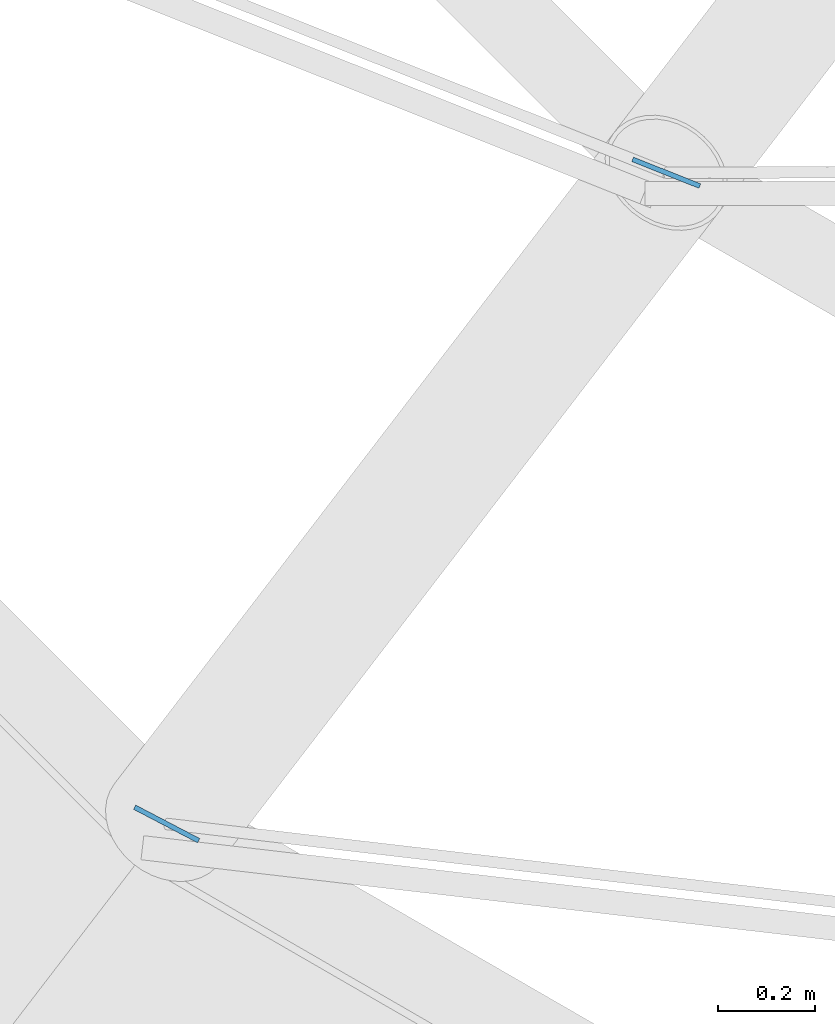
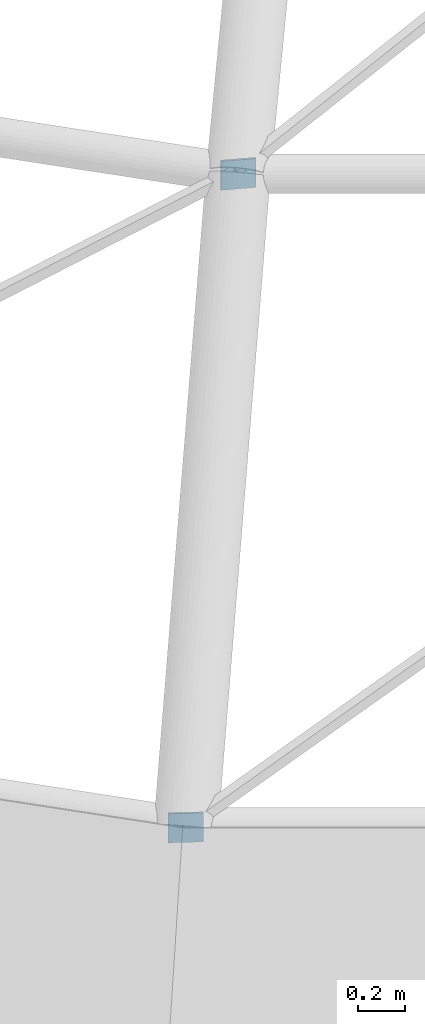
# One storey, part 40 of 62: 2 discrete accessories.
"""IFC4 building model written with IfcOpenShell, lengths in metres."""

import ifcopenshell
import ifcopenshell.guid

model = None  # the IFC model being written
_history = None  # IfcOwnerHistory: only IFC2X3 demands one
_inside = {}  # id of a spatial element -> (the spatial element, [elements in it])
_under = {}  # id of a project, library or spatial element -> (it, [spatial elements below it])
_declared = {}  # id of a project -> (the project, [libraries it declares])
_typed = {}  # id of a type object -> (the type object, [elements of that type])
_made_of = {}  # id of a material, layer set ... -> (it, [elements and type objects made of it])


def new_model(schema):
    """Start an empty IFC model of exactly this schema.

    Asked for "IFC4X3", IfcOpenShell would pick the latest addendum, in which some entities
    have other attributes; the version numbers below select the first issue.
    IFC2X3 requires an IfcOwnerHistory on every rooted entity: one is made here for all.
    """
    global model, _history
    if schema == "IFC4X3":
        model = ifcopenshell.file(schema_version=(4, 3, 0, 0))
    else:
        model = ifcopenshell.file(schema=schema)
    _inside.clear()
    _under.clear()
    _declared.clear()
    _typed.clear()
    _made_of.clear()
    _history = None
    if model.schema == "IFC2X3":
        org = make("IfcOrganization", Name="unknown")
        user = make(
            "IfcPersonAndOrganization",
            ThePerson=make("IfcPerson", FamilyName="unknown"),
            TheOrganization=org,
        )
        app = make(
            "IfcApplication",
            ApplicationDeveloper=org,
            Version="unknown",
            ApplicationFullName="unknown",
            ApplicationIdentifier="unknown",
        )
        _history = make(
            "IfcOwnerHistory",
            OwningUser=user,
            OwningApplication=app,
            ChangeAction="ADDED",
            CreationDate=0,
        )
    return model


def make(cls, **values):
    """One entity of the class cls with the attributes given. An attribute that is None is left unset."""
    return model.create_entity(
        cls, **{name: value for name, value in values.items() if value is not None}
    )


def rooted(cls, **values):
    """An entity with a GlobalId (a new one), such as an element, a storey or a relation."""
    return make(cls, GlobalId=ifcopenshell.guid.new(), OwnerHistory=_history, **values)


def si_unit(unit_type, name, prefix=None):
    """IfcSIUnit, for example si_unit("LENGTHUNIT", "METRE", prefix="MILLI")."""
    return make("IfcSIUnit", UnitType=unit_type, Prefix=prefix, Name=name)


def assignment(units):
    """IfcUnitAssignment: the units of a project."""
    return None if units is None else make("IfcUnitAssignment", Units=units)


def point(xyz):
    """IfcCartesianPoint."""
    return None if xyz is None else make("IfcCartesianPoint", Coordinates=xyz)


def direction(xyz):
    """IfcDirection."""
    return None if xyz is None else make("IfcDirection", DirectionRatios=xyz)


def frame(location, z_axis=None, x_axis=None):
    """IfcAxis2Placement3D, a coordinate frame: its origin and axes. An axis left out is left unset."""
    return make(
        "IfcAxis2Placement3D",
        Location=point(location),
        Axis=direction(z_axis),
        RefDirection=direction(x_axis),
    )


def frame_2d(location, x_axis=None):
    """IfcAxis2Placement2D, a coordinate frame in the plane: its origin and x axis."""
    return make(
        "IfcAxis2Placement2D", Location=point(location), RefDirection=direction(x_axis)
    )


def origin():
    """The frame at (0, 0, 0) with its axes left unset."""
    return frame((0.0, 0.0, 0.0))


def origin_2d():
    """The frame at (0, 0) in the plane with its x axis left unset."""
    return frame_2d((0.0, 0.0))


def place(relative_to, where):
    """IfcLocalPlacement: puts the frame where relative to a parent placement (None: the world)."""
    return make(
        "IfcLocalPlacement", PlacementRelTo=relative_to, RelativePlacement=where
    )


def context(
    kind, dimensions, precision=None, world=None, true_north=None, identifier=None
):
    """IfcGeometricRepresentationContext, for example the 3D "Model" context."""
    return make(
        "IfcGeometricRepresentationContext",
        ContextIdentifier=identifier,
        ContextType=kind,
        CoordinateSpaceDimension=dimensions,
        Precision=precision,
        WorldCoordinateSystem=world,
        TrueNorth=true_north,
    )


def subcontext(parent, identifier, kind, view, scale=None):
    """IfcGeometricRepresentationSubContext, for example "Body" below "Model"."""
    return make(
        "IfcGeometricRepresentationSubContext",
        ContextIdentifier=identifier,
        ContextType=kind,
        ParentContext=parent,
        TargetScale=scale,
        TargetView=view,
    )


def project(units=None, contexts=None):
    """IfcProject with its units and contexts."""
    return rooted(
        "IfcProject",
        Name="project",
        RepresentationContexts=contexts,
        UnitsInContext=assignment(units),
    )


def spatial(cls, under=None, at=None, **own):
    """A site, building, storey or space (cls), placed at a placement, below another one or the project."""
    s = rooted(cls, ObjectPlacement=at, **own)
    if under is not None:
        _under.setdefault(under.id(), (under, []))[1].append(s)
    return s


def profile(cls, at=None, kind="AREA", **sizes):
    """A parametric profile (cls). Its sizes go by their IFC names, for example OverallWidth=200.0."""
    return make(cls, ProfileType=kind, Position=at, **sizes)


def rectangle(**sizes):
    """IfcRectangleProfileDef."""
    return profile("IfcRectangleProfileDef", **sizes)


def extrude(swept, where, along, depth):
    """IfcExtrudedAreaSolid: the profile swept, set in the frame where, extruded along a direction by depth."""
    return make(
        "IfcExtrudedAreaSolid",
        SweptArea=swept,
        Position=where,
        ExtrudedDirection=direction(along),
        Depth=depth,
    )


def shape(context_of_items, identifier, shape_type, items):
    """IfcShapeRepresentation: the items that make up one representation, for example the "Body"."""
    return make(
        "IfcShapeRepresentation",
        ContextOfItems=context_of_items,
        RepresentationIdentifier=identifier,
        RepresentationType=shape_type,
        Items=items,
    )


def material(Name=None, Category=None):
    """IfcMaterial."""
    return make("IfcMaterial", Name=Name, Category=Category)


def made_of(thing, what):
    """Note that an element or type object is made of a material, layer set ...; save() writes the relation."""
    if what is not None:
        _made_of.setdefault(what.id(), (what, []))[1].append(thing)
    return thing


def type_object(cls, material=None, **own):
    """A type object (cls), such as IfcWallType, which elements share."""
    return made_of(rooted(cls, **own), material)


def element(
    cls,
    number,
    at=None,
    inside=None,
    cuts=None,
    type_object=None,
    material=None,
    context=None,
    identifier="Body",
    shape_type=None,
    held_by="IfcProductDefinitionShape",
    body=None,
    shapes=None,
    **own,
):
    """One element of the class cls, such as IfcWall. Its Tag is "e" and its number.

    at: its placement. inside: the storey or other place that contains it. cuts: it is an
    opening in that element (IfcRelVoidsElement). A single representation is given by context,
    identifier, shape_type and body (its items); several are given by shapes. held_by: the class
    of the entity that holds the representations. save() writes the other relations.
    """
    e = rooted(cls, Tag="e%d" % number, ObjectPlacement=at, **own)
    if body is not None:
        shapes = [shape(context, identifier, shape_type, body)]
    if shapes is not None:
        e.Representation = make(held_by, Representations=shapes)
    if inside is not None:
        _inside.setdefault(inside.id(), (inside, []))[1].append(e)
    if cuts is not None:
        rooted(
            "IfcRelVoidsElement", RelatingBuildingElement=cuts, RelatedOpeningElement=e
        )
    if type_object is not None:
        _typed.setdefault(type_object.id(), (type_object, []))[1].append(e)
    return made_of(e, material)


def aggregate(whole, parts):
    """IfcRelAggregates: a whole, such as a stair, and the parts it consists of."""
    return rooted("IfcRelAggregates", RelatingObject=whole, RelatedObjects=parts)


def save(model, path):
    """Write the relations noted so far, then the file.

    IfcRelAggregates (storeys below a building ...), IfcRelContainedInSpatialStructure (elements
    in a storey), IfcRelDefinesByType, IfcRelAssociatesMaterial and IfcRelDeclares: one each for
    every whole, place, type object, material and project.
    """
    for whole, parts in _under.values():
        aggregate(whole, parts)
    for where, things in _inside.values():
        rooted(
            "IfcRelContainedInSpatialStructure",
            RelatedElements=things,
            RelatingStructure=where,
        )
    for kind, things in _typed.values():
        rooted("IfcRelDefinesByType", RelatedObjects=things, RelatingType=kind)
    for what, things in _made_of.values():
        rooted("IfcRelAssociatesMaterial", RelatedObjects=things, RelatingMaterial=what)
    for by, libraries in _declared.values():
        rooted("IfcRelDeclares", RelatingContext=by, RelatedDefinitions=libraries)
    model.write(path)


model = new_model("IFC4")

# Units and contexts
model_context = context("Model", 3, precision=1e-05, world=origin(), true_north=direction((0.0, 1.0)))
body_context = subcontext(model_context, "Body", "Model", "MODEL_VIEW")
ifc_project = project(units=[si_unit("LENGTHUNIT", "METRE"), si_unit("AREAUNIT", "SQUARE_METRE"), si_unit("VOLUMEUNIT", "CUBIC_METRE"), si_unit("PLANEANGLEUNIT", "RADIAN"), si_unit("MASSUNIT", "GRAM", prefix="KILO")], contexts=[model_context])

# Site, building, storey
site_placement = place(None, origin())
site = spatial("IfcSite", under=ifc_project, at=site_placement, CompositionType="ELEMENT")
building_placement = place(site_placement, origin())
building = spatial("IfcBuilding", under=site, at=building_placement, Name="Hortulan Conservatory and Botanical Research Centre", CompositionType="ELEMENT")
storey_placement = place(building_placement, frame((0.0, 0.0, 15.0)))
storey = spatial("IfcBuildingStorey", under=building, at=storey_placement, Name="L03", CompositionType="ELEMENT", Elevation=15.0)

# Discrete accessories
ifc_material = material(Name="Steel Grade 300 plate (AS/NZS 3678, 280 MPa minimum yield)", Category="steel")
discrete_accessory_type = type_object("IfcDiscreteAccessoryType", Name="End Plate 150x10", PredefinedType="BRACKET", material=ifc_material)
for number, where, z_axis, x_axis, name in (
    (1, (44.380126953125, 5.463134765625, 0.4404296875), (0.0, 0.0, 1.0), (0.886252090619, -0.463203229558, 0.0), "Dome rod end plate"),
    (2, (45.414794921875, 6.811767578125, 2.636962890625), (0.0, 0.0, 1.0), (0.92947419878, -0.36888712881, 0.0), "Dome rod end plate"),
):
    element("IfcDiscreteAccessory", number, at=place(storey_placement, frame(where, z_axis=z_axis, x_axis=x_axis)), inside=storey, type_object=discrete_accessory_type, Name=name, PredefinedType="BRACKET", context=body_context, shape_type="SweptSolid", body=[
        extrude(rectangle(XDim=0.14990234375, YDim=0.010009765625, at=origin_2d()), origin(), (0.0, 0.0, 1.0), 0.14990234375),
    ])

save(model, "model.ifc")
